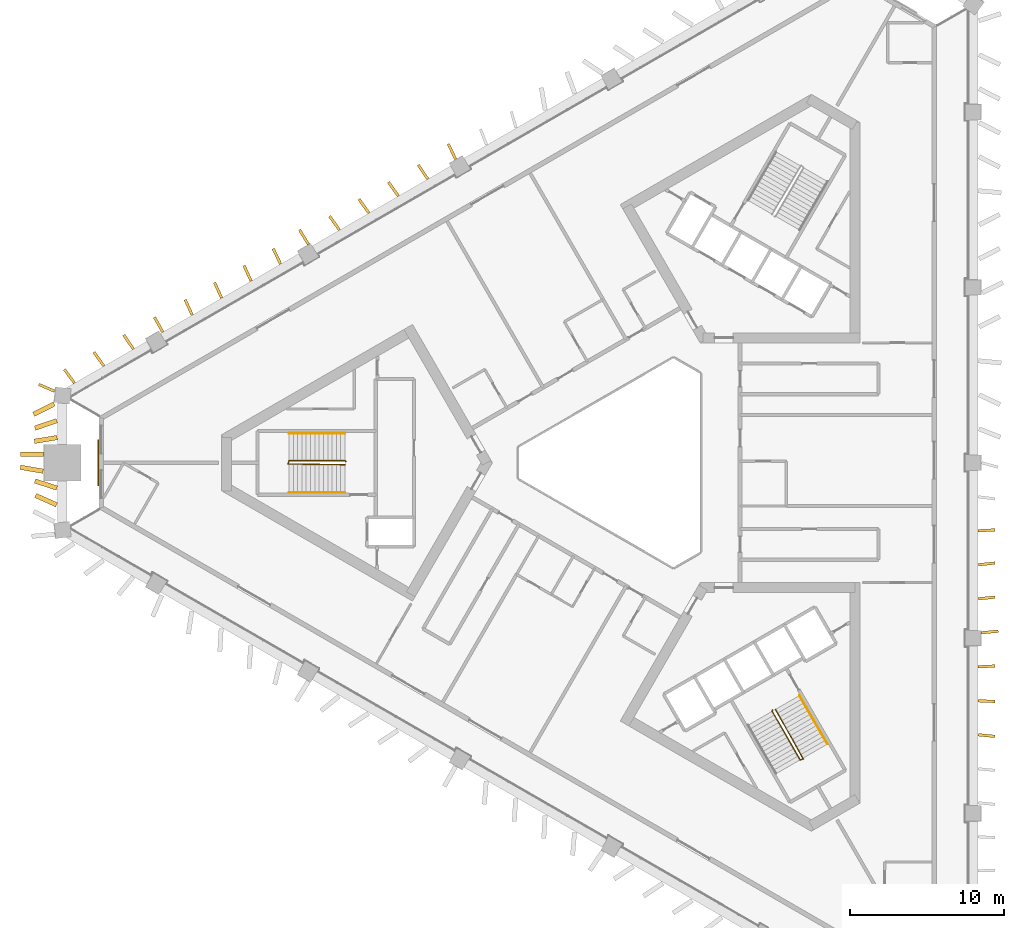
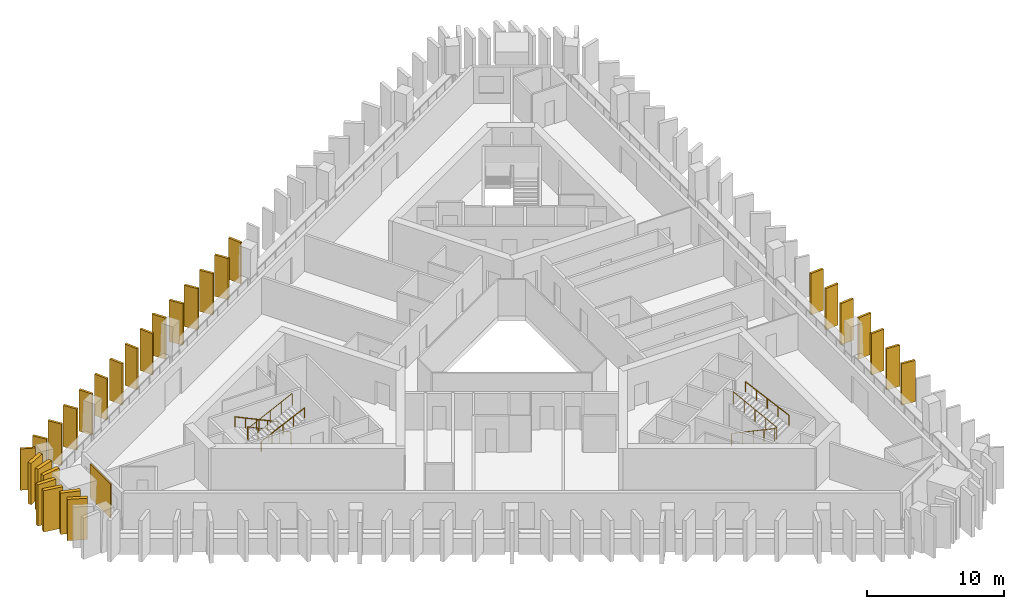
# One storey, part 8 of 10: 29 shading devices, 5 railings, 1 covering.
"""IFC4 building model written with IfcOpenShell, lengths in metres."""

from ifc_helpers import new_model, si_unit, direction, frame, frame_2d, origin, origin_2d, place, context, subcontext, project, spatial, rectangle, circle, extrude, material, layer, layer_set, type_object, element, save


model = new_model("IFC4")

# Units and contexts
model_context = context("Model", 3, precision=1e-05, world=origin(), true_north=direction((0.0, 1.0)))
body_context = subcontext(model_context, "Body", "Model", "MODEL_VIEW")
ifc_project = project(units=[si_unit("LENGTHUNIT", "METRE"), si_unit("AREAUNIT", "SQUARE_METRE"), si_unit("VOLUMEUNIT", "CUBIC_METRE"), si_unit("PLANEANGLEUNIT", "RADIAN"), si_unit("MASSUNIT", "GRAM", prefix="KILO")], contexts=[model_context])

# Site, building, storey
site_placement = place(None, origin())
site = spatial("IfcSite", under=ifc_project, at=site_placement, CompositionType="ELEMENT")
building_placement = place(site_placement, origin())
building = spatial("IfcBuilding", under=site, at=building_placement, Name="Jabali Bay Hotel Tower and Convention Centre", CompositionType="ELEMENT")
storey_placement = place(building_placement, frame((0.0, 0.0, 117.89990234375)))
storey = spatial("IfcBuildingStorey", under=building, at=storey_placement, Name="L28", CompositionType="ELEMENT", Elevation=117.89990234375)

# Shading devices
ifc_material_1 = material(Name="Precast concrete C60", Category="concrete")
ifc_layer_1 = layer(ifc_material_1, 0.179931640625)
ifc_layer_set_1 = layer_set([ifc_layer_1], Name="Precast concrete C60")
shading_device_type_1 = type_object("IfcShadingDeviceType", Name="Precast fin 3680 x 1100", PredefinedType="USERDEFINED", material=ifc_layer_set_1)
for number, where, z_axis, x_axis, name in (
    (1, (97.576171875, 62.32080078125, 0.010009765625), (0.0, 0.0, 1.0), (0.995604527084, -0.093656957296, 0.0), "Fin L28 005"),
    (2, (97.571533203125, 64.53076171875, 0.010009765625), (0.0, 0.0, 1.0), (0.999147627628, -0.041279755384, 0.0), "Fin L28 006"),
    (3, (97.572021484375, 66.740478515625, 0.010009765625), (0.0, 0.0, 1.0), (0.99888215266, 0.047269917466, 0.0), "Fin L28 007"),
):
    element("IfcShadingDevice", number, at=place(storey_placement, frame(where, z_axis=z_axis, x_axis=x_axis)), inside=storey, type_object=shading_device_type_1, Name=name, ObjectType="FIN", PredefinedType="USERDEFINED", context=body_context, shape_type="SweptSolid", body=[
        extrude(rectangle(XDim=1.10009765625, YDim=0.179931640625, at=frame_2d((0.550048828125, 0.0))), origin(), (0.0, 0.0, 1.0), 3.68017578125),
    ])
shading_device_1_placement = place(storey_placement, frame((97.783935546875, 68.950439453125, 0.010009765625), z_axis=(0.0, 0.0, 1.0), x_axis=(0.995456484768, 0.095217576804, 0.0)))
element("IfcShadingDevice", 4, at=shading_device_1_placement, inside=storey, type_object=shading_device_type_1, Name="Fin L28 008", ObjectType="FIN", PredefinedType="USERDEFINED", context=body_context, shape_type="SweptSolid", body=[
    extrude(rectangle(XDim=1.099853515625, YDim=0.179931640625, at=frame_2d((0.5498046875, 0.0))), origin(), (0.0, 0.0, 1.0), 3.68017578125),
])
shading_device_2_placement = place(storey_placement, frame((97.57666015625, 71.160400390625, 0.010009765625), z_axis=(0.0, 0.0, 1.0), x_axis=(0.995220069399, 0.097657633929, 0.0)))
element("IfcShadingDevice", 5, at=shading_device_2_placement, inside=storey, type_object=shading_device_type_1, Name="Fin L28 009", ObjectType="FIN", PredefinedType="USERDEFINED", context=body_context, shape_type="SweptSolid", body=[
    extrude(rectangle(XDim=1.10009765625, YDim=0.179931640625, at=frame_2d((0.550048828125, 0.0))), origin(), (0.0, 0.0, 1.0), 3.68017578125),
])
for number, where, z_axis, x_axis, name in (
    (6, (97.5771484375, 73.370361328125, 0.010009765625), (0.0, 0.0, 1.0), (0.994613165914, 0.103656404482, 0.0), "Fin L28 010"),
    (7, (97.572509765625, 75.580078125, 0.010009765625), (0.0, 0.0, 1.0), (0.998684459201, 0.051277197172, 0.0), "Fin L28 011"),
    (8, (63.60888671875, 99.72998046875, 0.010009765625), (0.0, 0.0, 1.0), (-0.43304132225, 0.901374069532, 0.0), "Fin L28 048"),
    (9, (61.799072265625, 98.445068359375, 0.010009765625), (0.0, 0.0, 1.0), (-0.561544839227, 0.827446308553, 0.0), "Fin L28 049"),
    (10, (59.884033203125, 97.342041015625, 0.010009765625), (0.0, 0.0, 1.0), (-0.581553103122, 0.813508443871, 0.0), "Fin L28 050"),
):
    element("IfcShadingDevice", number, at=place(storey_placement, frame(where, z_axis=z_axis, x_axis=x_axis)), inside=storey, type_object=shading_device_type_1, Name=name, ObjectType="FIN", PredefinedType="USERDEFINED", context=body_context, shape_type="SweptSolid", body=[
        extrude(rectangle(XDim=1.099853515625, YDim=0.179931640625, at=frame_2d((0.5498046875, 0.0))), origin(), (0.0, 0.0, 1.0), 3.68017578125),
    ])
for number, where, z_axis, x_axis, name in (
    (11, (57.97021484375, 96.23681640625, 0.010009765625), (0.0, 0.0, 1.0), (-0.579893846653, 0.814692044035, 0.0), "Fin L28 051"),
    (12, (56.056640625, 95.1318359375, 0.010009765625), (0.0, 0.0, 1.0), (-0.579494305138, 0.814976288191, 0.0), "Fin L28 052"),
    (13, (54.0419921875, 94.201416015625, 0.010009765625), (0.0, 0.0, 1.0), (-0.524642141893, 0.851322866456, 0.0), "Fin L28 053"),
):
    element("IfcShadingDevice", number, at=place(storey_placement, frame(where, z_axis=z_axis, x_axis=x_axis)), inside=storey, type_object=shading_device_type_1, Name=name, ObjectType="FIN", PredefinedType="USERDEFINED", context=body_context, shape_type="SweptSolid", body=[
        extrude(rectangle(XDim=1.10009765625, YDim=0.179931640625, at=frame_2d((0.550048828125, 0.0))), origin(), (0.0, 0.0, 1.0), 3.68017578125),
    ])
shading_device_3_placement = place(storey_placement, frame((52.229736328125, 92.920654296875, 0.010009765625), z_axis=(0.0, 0.0, 1.0), x_axis=(-0.431518332102, 0.902104167522, 0.0)))
element("IfcShadingDevice", 14, at=shading_device_3_placement, inside=storey, type_object=shading_device_type_1, Name="Fin L28 054", ObjectType="FIN", PredefinedType="USERDEFINED", context=body_context, shape_type="SweptSolid", body=[
    extrude(rectangle(XDim=1.099853515625, YDim=0.179931640625, at=frame_2d((0.5498046875, 0.0))), origin(), (0.0, 0.0, 1.0), 3.68017578125),
])
shading_device_4_placement = place(storey_placement, frame((50.31494140625, 91.81689453125, 0.010009765625), z_axis=(0.0, 0.0, 1.0), x_axis=(-0.416593570775, 0.909092842777, 0.0)))
element("IfcShadingDevice", 15, at=shading_device_4_placement, inside=storey, type_object=shading_device_type_1, Name="Fin L28 055", ObjectType="FIN", PredefinedType="USERDEFINED", context=body_context, shape_type="SweptSolid", body=[
    extrude(rectangle(XDim=1.10009765625, YDim=0.179931640625, at=frame_2d((0.550048828125, 0.0))), origin(), (0.0, 0.0, 1.0), 3.68017578125),
])
for number, where, z_axis, x_axis, name in (
    (16, (48.401123046875, 90.7119140625, 0.010009765625), (0.0, 0.0, 1.0), (-0.4164101177, 0.909176888112, 0.0), "Fin L28 056"),
    (17, (46.4873046875, 89.607177734375, 0.010009765625), (0.0, 0.0, 1.0), (-0.416226613748, 0.909260911954, 0.0), "Fin L28 057"),
    (18, (44.5771484375, 88.495849609375, 0.010009765625), (0.0, 0.0, 1.0), (-0.488975058129, 0.872297765977, 0.0), "Fin L28 058"),
    (19, (42.66064453125, 87.3955078125, 0.010009765625), (0.0, 0.0, 1.0), (-0.561137683859, 0.827722477497, 0.0), "Fin L28 059"),
):
    element("IfcShadingDevice", number, at=place(storey_placement, frame(where, z_axis=z_axis, x_axis=x_axis)), inside=storey, type_object=shading_device_type_1, Name=name, ObjectType="FIN", PredefinedType="USERDEFINED", context=body_context, shape_type="SweptSolid", body=[
        extrude(rectangle(XDim=1.099853515625, YDim=0.179931640625, at=frame_2d((0.5498046875, 0.0))), origin(), (0.0, 0.0, 1.0), 3.68017578125),
    ])
for number, where, z_axis, x_axis, name in (
    (20, (40.74560546875, 86.292724609375, 0.010009765625), (0.0, 0.0, 1.0), (-0.584152700173, 0.811643778317, 0.0), "Fin L28 060"),
    (21, (38.831298828125, 85.1884765625, 0.010009765625), (0.0, 0.0, 1.0), (-0.592767449939, 0.805373671219, 0.0), "Fin L28 061"),
):
    element("IfcShadingDevice", number, at=place(storey_placement, frame(where, z_axis=z_axis, x_axis=x_axis)), inside=storey, type_object=shading_device_type_1, Name=name, ObjectType="FIN", PredefinedType="USERDEFINED", context=body_context, shape_type="SweptSolid", body=[
        extrude(rectangle(XDim=1.10009765625, YDim=0.179931640625, at=frame_2d((0.550048828125, 0.0))), origin(), (0.0, 0.0, 1.0), 3.68017578125),
    ])
shading_device_5_placement = place(storey_placement, frame((37.53076171875, 84.659912109375, 0.010009765625), z_axis=(0.0, 0.0, 1.0), x_axis=(-0.920528568532, 0.390675254549, 0.0)))
element("IfcShadingDevice", 22, at=shading_device_5_placement, inside=storey, type_object=shading_device_type_1, Name="Fin L28 108", ObjectType="FIN", PredefinedType="USERDEFINED", context=body_context, shape_type="SweptSolid", body=[
    extrude(rectangle(XDim=1.099853515625, YDim=0.179931640625, at=frame_2d((0.5498046875, 0.0))), origin(), (0.0, 0.0, 1.0), 3.68017578125),
])
ifc_layer_2 = layer(ifc_material_1, 0.300048828125)
ifc_layer_set_2 = layer_set([ifc_layer_2], Name="Precast concrete C60")
shading_device_type_2 = type_object("IfcShadingDeviceType", Name="Precast fin 3680 x 1500", PredefinedType="USERDEFINED", material=ifc_layer_set_2)
for number, where, z_axis, x_axis, name in (
    (23, (37.525390625, 83.827392578125, 0.010009765625), (0.0, 0.0, 1.0), (-0.893219312844, -0.449621239671, 0.0), "Fin L28 062"),
    (24, (37.690673828125, 82.73388671875, 0.010009765625), (0.0, 0.0, 1.0), (-0.947191631725, -0.320668072607, 0.0), "Fin L28 063"),
):
    element("IfcShadingDevice", number, at=place(storey_placement, frame(where, z_axis=z_axis, x_axis=x_axis)), inside=storey, type_object=shading_device_type_2, Name=name, ObjectType="FIN", PredefinedType="USERDEFINED", context=body_context, shape_type="SweptSolid", body=[
        extrude(rectangle(XDim=1.499755859375, YDim=0.300048828125, at=frame_2d((0.75, 0.0))), origin(), (0.0, 0.0, 1.0), 3.68017578125),
    ])
for number, where, z_axis, x_axis, name in (
    (25, (37.71435546875, 81.640380859375, 0.010009765625), (0.0, 0.0, 1.0), (-0.986665303318, -0.162762339709, 0.0), "Fin L28 064"),
    (26, (36.825439453125, 80.546875, 0.010009765625), (0.0, 0.0, 1.0), (-0.999978807911, 0.006510278697, 0.0), "Fin L28 065"),
    (27, (36.801025390625, 79.453125, 0.010009765625), (0.0, 0.0, 1.0), (-0.985735108266, 0.168304177997, 0.0), "Fin L28 066"),
    (28, (37.69287109375, 78.359619140625, 0.010009765625), (0.0, 0.0, 1.0), (-0.95214026525, 0.305661438998, 0.0), "Fin L28 067"),
    (29, (37.677490234375, 77.26611328125, 0.010009765625), (0.0, 0.0, 1.0), (-0.912808671471, 0.408387474451, 0.0), "Fin L28 068"),
):
    element("IfcShadingDevice", number, at=place(storey_placement, frame(where, z_axis=z_axis, x_axis=x_axis)), inside=storey, type_object=shading_device_type_2, Name=name, ObjectType="FIN", PredefinedType="USERDEFINED", context=body_context, shape_type="SweptSolid", body=[
        extrude(rectangle(XDim=1.5, YDim=0.300048828125, at=frame_2d((0.75, 0.0))), origin(), (0.0, 0.0, 1.0), 3.68017578125),
    ])

# Covering
ifc_material_2 = material(Name="Precast concrete C40/50", Category="concrete")
ifc_layer_3 = layer(ifc_material_2, 0.080078125)
ifc_layer_set_3 = layer_set([ifc_layer_3], Name="Precast concrete C40/50")
covering_type = type_object("IfcCoveringType", Name="Relief panel 3000 x 3050", PredefinedType="CLADDING", material=ifc_layer_set_3)
covering_placement = place(storey_placement, frame((40.385498046875, 80.0, 0.10009765625), z_axis=(0.0, 0.0, 1.0), x_axis=(0.0, 1.0, 0.0)))
element("IfcCovering", 30, at=covering_placement, inside=storey, type_object=covering_type, Name="Relief panel L28", PredefinedType="CLADDING", context=body_context, shape_type="SweptSolid", body=[
    extrude(rectangle(XDim=3.0, YDim=0.080078125, at=origin_2d()), origin(), (0.0, 0.0, 1.0), 3.050048828125),
])

# Railings
ifc_material_3 = material(Name="Steel Q355B", Category="steel")
railing_type_1 = type_object("IfcRailingType", Name="Stair guard 1100", PredefinedType="GUARDRAIL", material=ifc_material_3)
railing_1_placement = place(storey_placement, frame((56.469970703125, 80.074951171875, 0.0)))
element("IfcRailing", 31, at=railing_1_placement, inside=storey, type_object=railing_type_1, Name="L28 ST1 stair guard 1", PredefinedType="GUARDRAIL", context=body_context, shape_type="SweptSolid", body=[
    extrude(circle(Radius=0.02392578125, at=origin_2d()), frame((0.0, 0.0, 1.076171875), z_axis=(-0.333514590198, 0.333514590198, 0.881780038474), x_axis=(-0.707106781187, -0.707106781187, 0.0)), (0.0, 0.0, 1.0), 0.150146484375),
    extrude(circle(Radius=0.02392578125, at=origin_2d()), frame((-0.050048828125, 0.050048828125, 1.20849609375), z_axis=(-0.904350763662, 0.0, 0.426789990819), x_axis=(0.0, -1.0, 0.0)), (0.0, 0.0, 1.0), 4.02490234375),
    extrude(circle(Radius=0.02392578125, at=origin_2d()), frame((-3.68994140625, 0.050048828125, 2.92626953125), z_axis=(-0.242814311512, -0.970072785993, 0.0), x_axis=(0.970072785993, -0.242814311512, 0.0)), (0.0, 0.0, 1.0), 0.2060546875),
    extrude(circle(Radius=0.02392578125, at=origin_2d()), frame((-3.739990234375, -0.14990234375, 2.92626953125), z_axis=(0.893864111827, -0.012124000458, 0.448174026692), x_axis=(0.013562335953, 0.999908027292, 0.0)), (0.0, 0.0, 1.0), 4.128173828125),
    extrude(circle(Radius=0.02099609375, at=origin_2d()), origin(), (0.0, 0.0, 1.0), 1.052001953125),
    extrude(circle(Radius=0.02099609375, at=origin_2d()), frame((-0.050048828125, 0.050048828125, 0.13232421875)), (0.0, 0.0, 1.0), 1.052001953125),
    extrude(circle(Radius=0.02099609375, at=origin_2d()), frame((-0.9599609375, 0.050048828125, 0.561767578125)), (0.0, 0.0, 1.0), 1.052001953125),
    extrude(circle(Radius=0.02099609375, at=origin_2d()), frame((-1.8701171875, 0.050048828125, 0.9912109375)), (0.0, 0.0, 1.0), 1.052001953125),
    extrude(circle(Radius=0.02099609375, at=origin_2d()), frame((-2.780029296875, 0.050048828125, 1.420654296875)), (0.0, 0.0, 1.0), 1.052001953125),
    extrude(circle(Radius=0.02099609375, at=origin_2d()), frame((-3.68994140625, 0.050048828125, 1.85009765625)), (0.0, 0.0, 1.0), 1.052001953125),
    extrude(circle(Radius=0.02099609375, at=origin_2d()), frame((-3.739990234375, -0.14990234375, 1.85009765625)), (0.0, 0.0, 1.0), 1.052001953125),
    extrude(circle(Radius=0.02099609375, at=origin_2d()), frame((-2.8173828125, -0.162353515625, 2.3125)), (0.0, 0.0, 1.0), 1.052001953125),
    extrude(circle(Radius=0.02099609375, at=origin_2d()), frame((-1.89501953125, -0.1748046875, 2.775146484375)), (0.0, 0.0, 1.0), 1.052001953125),
    extrude(circle(Radius=0.02099609375, at=origin_2d()), frame((-0.97265625, -0.1875, 3.23779296875)), (0.0, 0.0, 1.0), 1.052001953125),
    extrude(circle(Radius=0.02099609375, at=origin_2d()), frame((-0.050048828125, -0.199951171875, 3.7001953125)), (0.0, 0.0, 1.0), 1.052001953125),
])
railing_2_placement = place(storey_placement, frame((84.199951171875, 63.9150390625, 0.0)))
element("IfcRailing", 32, at=railing_2_placement, inside=storey, type_object=railing_type_1, Name="L28 ST3 stair guard 1", PredefinedType="GUARDRAIL", context=body_context, shape_type="SweptSolid", body=[
    extrude(circle(Radius=0.02392578125, at=origin_2d()), frame((0.0, 0.0, 1.076171875), z_axis=(-0.122021570157, -0.455547195254, 0.88180921367), x_axis=(0.965948051503, -0.258736085224, 0.0)), (0.0, 0.0, 1.0), 0.150146484375),
    extrude(circle(Radius=0.02392578125, at=origin_2d()), frame((-0.018310546875, -0.068359375, 1.20849609375), z_axis=(0.452190331055, -0.783190014029, 0.426775475427), x_axis=(0.866018046521, 0.500012742938, 0.0)), (0.0, 0.0, 1.0), 4.02490234375),
    extrude(circle(Radius=0.02392578125, at=origin_2d()), frame((1.8017578125, -3.220703125, 2.92626953125), z_axis=(0.96121063429, 0.275815366736, 0.0), x_axis=(-0.275815366736, 0.96121063429, 0.0)), (0.0, 0.0, 1.0), 0.206298828125),
    extrude(circle(Radius=0.02392578125, at=origin_2d()), frame((2.0, -3.163818359375, 2.92626953125), z_axis=(-0.436470229993, 0.780146179382, 0.448180406895), x_axis=(-0.872702246529, -0.488252792008, 0.0)), (0.0, 0.0, 1.0), 4.1279296875),
    extrude(circle(Radius=0.02099609375, at=origin_2d()), origin(), (0.0, 0.0, 1.0), 1.052001953125),
    extrude(circle(Radius=0.02099609375, at=origin_2d()), frame((-0.018310546875, -0.068359375, 0.13232421875)), (0.0, 0.0, 1.0), 1.052001953125),
    extrude(circle(Radius=0.02099609375, at=origin_2d()), frame((0.436767578125, -0.8564453125, 0.561767578125)), (0.0, 0.0, 1.0), 1.052001953125),
    extrude(circle(Radius=0.02099609375, at=origin_2d()), frame((0.8916015625, -1.64453125, 0.9912109375)), (0.0, 0.0, 1.0), 1.052001953125),
    extrude(circle(Radius=0.02099609375, at=origin_2d()), frame((1.3466796875, -2.4326171875, 1.420654296875)), (0.0, 0.0, 1.0), 1.052001953125),
    extrude(circle(Radius=0.02099609375, at=origin_2d()), frame((1.8017578125, -3.220703125, 1.85009765625)), (0.0, 0.0, 1.0), 1.052001953125),
    extrude(circle(Radius=0.02099609375, at=origin_2d()), frame((2.0, -3.163818359375, 1.85009765625)), (0.0, 0.0, 1.0), 1.052001953125),
    extrude(circle(Radius=0.02099609375, at=origin_2d()), frame((1.549560546875, -2.358642578125, 2.3125)), (0.0, 0.0, 1.0), 1.052001953125),
    extrude(circle(Radius=0.02099609375, at=origin_2d()), frame((1.09912109375, -1.5537109375, 2.775146484375)), (0.0, 0.0, 1.0), 1.052001953125),
    extrude(circle(Radius=0.02099609375, at=origin_2d()), frame((0.648681640625, -0.74853515625, 3.23779296875)), (0.0, 0.0, 1.0), 1.052001953125),
    extrude(circle(Radius=0.02099609375, at=origin_2d()), frame((0.1982421875, 0.056640625, 3.7001953125)), (0.0, 0.0, 1.0), 1.052001953125),
])
railing_type_2 = type_object("IfcRailingType", Name="Stair handrail 900", PredefinedType="HANDRAIL", material=ifc_material_3)
railing_3_placement = place(storey_placement, frame((56.419921875, 81.925048828125, 0.13232421875)))
element("IfcRailing", 33, at=railing_3_placement, inside=storey, type_object=railing_type_2, Name="L28 ST1 stair handrail 1", PredefinedType="HANDRAIL", context=body_context, shape_type="SweptSolid", body=[
    extrude(circle(Radius=0.02392578125, at=origin_2d()), frame((0.0, 0.0, 0.8759765625), z_axis=(-0.904350763662, 0.0, 0.426789990819), x_axis=(0.0, -1.0, 0.0)), (0.0, 0.0, 1.0), 4.02490234375),
    extrude(circle(Radius=0.02099609375, at=origin_2d()), origin(), (0.0, 0.0, 1.0), 0.851806640625),
    extrude(circle(Radius=0.02099609375, at=origin_2d()), frame((-0.909912109375, 0.0, 0.429443359375)), (0.0, 0.0, 1.0), 0.851806640625),
    extrude(circle(Radius=0.02099609375, at=origin_2d()), frame((-1.81982421875, 0.0, 0.85888671875)), (0.0, 0.0, 1.0), 0.851806640625),
    extrude(circle(Radius=0.02099609375, at=origin_2d()), frame((-2.72998046875, 0.0, 1.288330078125)), (0.0, 0.0, 1.0), 0.851806640625),
    extrude(circle(Radius=0.02099609375, at=origin_2d()), frame((-3.639892578125, 0.0, 1.7177734375)), (0.0, 0.0, 1.0), 0.851806640625),
])
railing_4_placement = place(storey_placement, frame((52.780029296875, 78.074951171875, 1.982177734375)))
element("IfcRailing", 34, at=railing_4_placement, inside=storey, type_object=railing_type_2, Name="L28 ST1 stair handrail 2", PredefinedType="HANDRAIL", context=body_context, shape_type="SweptSolid", body=[
    extrude(circle(Radius=0.02392578125, at=origin_2d()), frame((0.0, 0.0, 0.8759765625), z_axis=(0.904327350853, 0.0, 0.426839598092), x_axis=(0.0, 1.0, 0.0)), (0.0, 0.0, 1.0), 4.02490234375),
    extrude(circle(Radius=0.02099609375, at=origin_2d()), origin(), (0.0, 0.0, 1.0), 0.851806640625),
    extrude(circle(Radius=0.02099609375, at=origin_2d()), frame((0.909912109375, 0.0, 0.429443359375)), (0.0, 0.0, 1.0), 0.851806640625),
    extrude(circle(Radius=0.02099609375, at=origin_2d()), frame((1.81982421875, 0.0, 0.85888671875)), (0.0, 0.0, 1.0), 0.851806640625),
    extrude(circle(Radius=0.02099609375, at=origin_2d()), frame((2.72998046875, 0.0, 1.28857421875)), (0.0, 0.0, 1.0), 0.851806640625),
    extrude(circle(Radius=0.02099609375, at=origin_2d()), frame((3.639892578125, 0.0, 1.718017578125)), (0.0, 0.0, 1.0), 0.851806640625),
])
railing_5_placement = place(storey_placement, frame((87.777099609375, 61.719482421875, 1.982177734375)))
element("IfcRailing", 35, at=railing_5_placement, inside=storey, type_object=railing_type_2, Name="L28 ST3 stair handrail 2", PredefinedType="HANDRAIL", context=body_context, shape_type="SweptSolid", body=[
    extrude(circle(Radius=0.02392578125, at=origin_2d()), frame((0.0, 0.0, 0.8759765625), z_axis=(-0.45217862506, 0.783169739339, 0.426825081763), x_axis=(-0.866018046521, -0.500012742938, 0.0)), (0.0, 0.0, 1.0), 4.025146484375),
    extrude(circle(Radius=0.02099609375, at=origin_2d()), origin(), (0.0, 0.0, 1.0), 0.851806640625),
    extrude(circle(Radius=0.02099609375, at=origin_2d()), frame((-0.455078125, 0.7880859375, 0.429443359375)), (0.0, 0.0, 1.0), 0.851806640625),
    extrude(circle(Radius=0.02099609375, at=origin_2d()), frame((-0.91015625, 1.576171875, 0.85888671875)), (0.0, 0.0, 1.0), 0.851806640625),
    extrude(circle(Radius=0.02099609375, at=origin_2d()), frame((-1.364990234375, 2.3642578125, 1.28857421875)), (0.0, 0.0, 1.0), 0.851806640625),
    extrude(circle(Radius=0.02099609375, at=origin_2d()), frame((-1.820068359375, 3.15234375, 1.718017578125)), (0.0, 0.0, 1.0), 0.851806640625),
])

save(model, "model.ifc")
